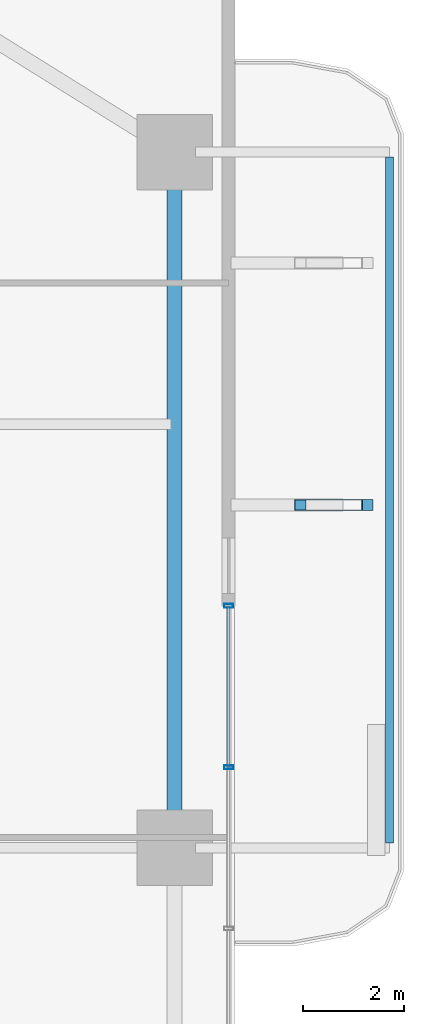
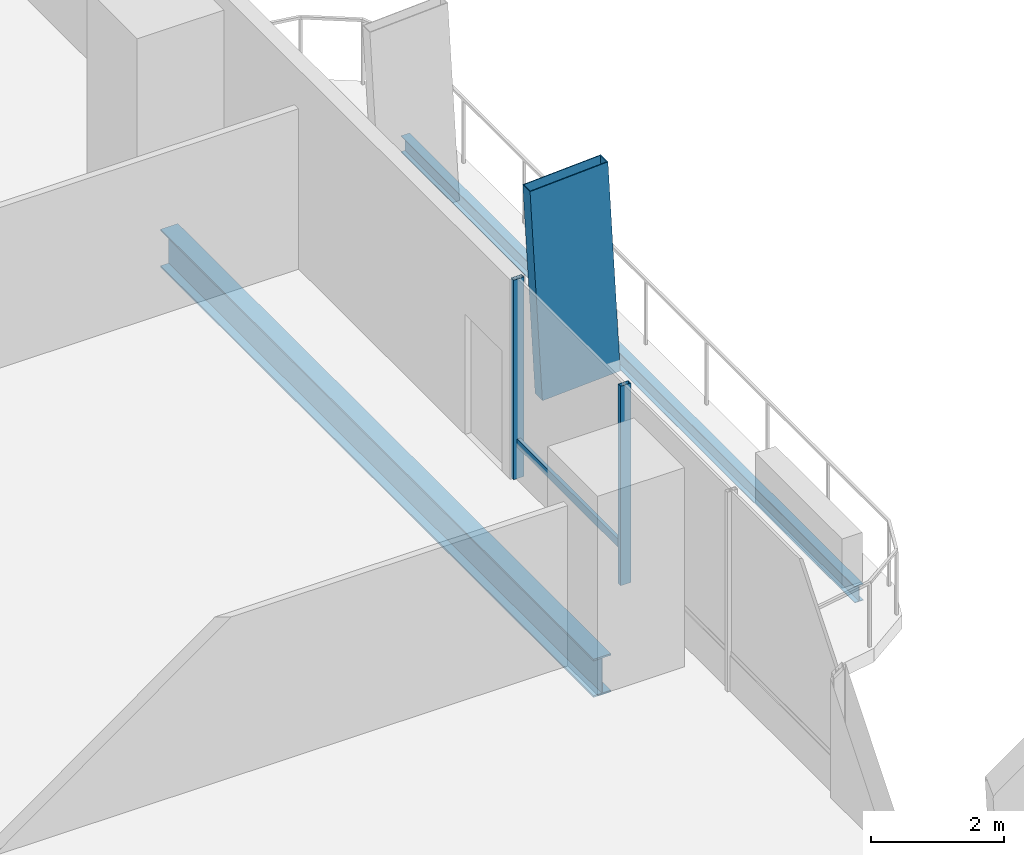
# One storey, part 13 of 23: 4 members, 2 beams, 1 element without a shape of its own.
"""IFC4 building model written with IfcOpenShell, lengths in metres."""

from ifc_helpers import new_model, si_unit, direction, frame, origin, origin_2d, place, context, subcontext, project, spatial, hollow_rectangle, i_section, extrude, material, layer, layer_set, material_profile, profile_set, type_object, element, aggregate, save


model = new_model("IFC4")

# Units and contexts
model_context = context("Model", 3, precision=1e-05, world=origin(), true_north=direction((0.0, 1.0)))
body_context = subcontext(model_context, "Body", "Model", "MODEL_VIEW")
ifc_project = project(units=[si_unit("LENGTHUNIT", "METRE"), si_unit("AREAUNIT", "SQUARE_METRE"), si_unit("VOLUMEUNIT", "CUBIC_METRE"), si_unit("PLANEANGLEUNIT", "RADIAN"), si_unit("MASSUNIT", "GRAM", prefix="KILO")], contexts=[model_context])

# Site, building, storey
site_placement = place(None, origin())
site = spatial("IfcSite", under=ifc_project, at=site_placement, CompositionType="ELEMENT")
building_placement = place(site_placement, origin())
building = spatial("IfcBuilding", under=site, at=building_placement, Name="Belovzor Exchange Tower", CompositionType="ELEMENT")
storey_placement = place(building_placement, frame((0.0, 0.0, 57.300048828125)))
storey = spatial("IfcBuildingStorey", under=building, at=storey_placement, Name="L13", CompositionType="ELEMENT", Elevation=57.300048828125)

# Member
ifc_material_1 = material(Name="Extruded Architectural Terracotta on Steel S355 Carrier", Category="masonry")
ifc_material_profile_1 = material_profile(ifc_material_1, hollow_rectangle(XDim=0.219970703125, YDim=1.35009765625, WallThickness=0.013916015625, at=origin_2d()))
ifc_profile_set_1 = profile_set([ifc_material_profile_1], Name="Extruded Architectural Terracotta on Steel S355 Carrier")
member_type_1 = type_object("IfcMemberType", Name="Base Arc Sweeping Terracotta Pylon Fin 1450", PredefinedType="USERDEFINED", material=ifc_profile_set_1)
member_1_placement = place(storey_placement, frame((58.762939453125, 35.60009765625, -0.25), z_axis=(-0.054756839471, 0.0, 0.998499718844), x_axis=(0.0, -1.0, 0.0)))
element("IfcMember", 1, at=member_1_placement, inside=storey, type_object=member_type_1, Name="FIN-TC145 Terracotta Facade Fin L13 E3", ObjectType="FIN", PredefinedType="USERDEFINED", context=body_context, shape_type="SweptSolid", body=[
    extrude(hollow_rectangle(XDim=0.219970703125, YDim=1.35009765625, WallThickness=0.013916015625, at=origin_2d()), origin(), (0.0, 0.0, 1.0), 3.90576171875),
])

# Beam
ifc_material_2 = material(Name="Steel S355", Category="steel")
ifc_material_profile_2 = material_profile(ifc_material_2, i_section(OverallWidth=0.14990234375, OverallDepth=0.300048828125, WebThickness=0.007080078125, FlangeThickness=0.0107421875, at=origin_2d()))
ifc_profile_set_2 = profile_set([ifc_material_profile_2], Name="Steel S355")
beam_type_1 = type_object("IfcBeamType", Name="Planted Balcony Fascia Edge Beam IPE 300", PredefinedType="BEAM", material=ifc_profile_set_2)
beam_1_placement = place(storey_placement, frame((59.762939453125, 28.89990234375, -0.400146484375), z_axis=(0.0, 1.0, 0.0), x_axis=(-1.0, 0.0, 0.0)))
element("IfcBeam", 2, at=beam_1_placement, inside=storey, type_object=beam_type_1, Name="BC-300 Planted Balcony Fascia Edge Beam IPE 300", PredefinedType="BEAM", context=body_context, shape_type="SweptSolid", body=[
    extrude(i_section(OverallWidth=0.14990234375, OverallDepth=0.300048828125, WebThickness=0.007080078125, FlangeThickness=0.0107421875, at=origin_2d()), origin(), (0.0, 0.0, 1.0), 13.60009765625),
])

# Curtain wall, members
ifc_material_3 = material(Name="Anodised Aluminium Framing", Category="aluminium")
ifc_layer = layer(ifc_material_3, 0.179931640625)
ifc_layer_set = layer_set([ifc_layer], Name="Anodised Aluminium Framing")
curtain_wall_type = type_object("IfcCurtainWallType", Name="Recessed Loggia Low-Iron Triple-Glazed Curtain Wall", PredefinedType="NOTDEFINED", material=ifc_layer_set)
curtain_wall_placement = place(storey_placement, origin())
curtain_wall = element("IfcCurtainWall", 3, at=curtain_wall_placement, inside=storey, type_object=curtain_wall_type, Name="CW3 Recessed Loggia Low-Iron Triple-Glazed Curtain Wall L13", PredefinedType="NOTDEFINED")
ifc_material_4 = material(Name="Steel S355", Category="steel")
ifc_material_profile_3 = material_profile(ifc_material_4, hollow_rectangle(XDim=0.074951171875, YDim=0.179931640625, WallThickness=0.0048828125, at=origin_2d()))
ifc_profile_set_3 = profile_set([ifc_material_profile_3], Name="Steel S355")
member_type_2 = type_object("IfcMemberType", Name="Thermally Broken Curtain Wall Mullion 180x75", PredefinedType="MULLION", material=ifc_profile_set_3)
member_2_placement = place(storey_placement, frame((56.570068359375, 33.60009765625, 0.0), z_axis=(0.0, 0.0, 1.0), x_axis=(0.0, -1.0, 0.0)))
member_2 = element("IfcMember", 4, at=member_2_placement, type_object=member_type_2, Name="CW-M180 Curtain Wall Mullion 1", PredefinedType="MULLION", context=body_context, shape_type="SweptSolid", body=[
    extrude(hollow_rectangle(XDim=0.074951171875, YDim=0.179931640625, WallThickness=0.0048828125, at=origin_2d()), origin(), (0.0, 0.0, 1.0), 3.64990234375),
])
member_3_placement = place(storey_placement, frame((56.570068359375, 30.39990234375, 0.0), z_axis=(0.0, 0.0, 1.0), x_axis=(0.0, -1.0, 0.0)))
member_3 = element("IfcMember", 5, at=member_3_placement, type_object=member_type_2, Name="CW-M180 Curtain Wall Mullion 2", PredefinedType="MULLION", context=body_context, shape_type="SweptSolid", body=[
    extrude(hollow_rectangle(XDim=0.074951171875, YDim=0.179931640625, WallThickness=0.0048828125, at=origin_2d()), origin(), (0.0, 0.0, 1.0), 3.64990234375),
])
ifc_material_5 = material(Name="Steel S355", Category="steel")
ifc_material_profile_4 = material_profile(ifc_material_5, hollow_rectangle(XDim=0.06005859375, YDim=0.14990234375, WallThickness=0.00390625, at=origin_2d()))
ifc_profile_set_4 = profile_set([ifc_material_profile_4], Name="Steel S355")
member_type_3 = type_object("IfcMemberType", Name="Thermally Broken Curtain Wall Transom 150x60", PredefinedType="USERDEFINED", material=ifc_profile_set_4)
member_4_placement = place(storey_placement, frame((56.570068359375, 33.592041015625, 0.64990234375), z_axis=(0.0, -1.0, 0.0), x_axis=(1.0, 0.0, 0.0)))
member_4 = element("IfcMember", 6, at=member_4_placement, type_object=member_type_3, Name="CW-T150 Curtain Wall Transom 1", ObjectType="TRANSOM", PredefinedType="USERDEFINED", context=body_context, shape_type="SweptSolid", body=[
    extrude(hollow_rectangle(XDim=0.06005859375, YDim=0.14990234375, WallThickness=0.00390625, at=origin_2d()), origin(), (0.0, 0.0, 1.0), 3.18408203125),
])
aggregate(curtain_wall, [member_2, member_3, member_4])

# Beam
ifc_material_6 = material(Name="Steel S355", Category="steel")
ifc_material_profile_5 = material_profile(ifc_material_6, i_section(OverallWidth=0.300048828125, OverallDepth=0.699951171875, WebThickness=0.01708984375, FlangeThickness=0.031982421875, at=origin_2d()))
ifc_profile_set_5 = profile_set([ifc_material_profile_5], Name="Steel S355")
beam_type_2 = type_object("IfcBeamType", Name="Zone 1 Primary Perimeter Girder HEB 700", PredefinedType="BEAM", material=ifc_profile_set_5)
beam_2_placement = place(storey_placement, frame((55.5, 29.212890625, -0.60009765625), z_axis=(0.0, 1.0, 0.0), x_axis=(-1.0, 0.0, 0.0)))
element("IfcBeam", 7, at=beam_2_placement, inside=storey, type_object=beam_type_2, Name="FG-Z1 Zone 1 Primary Perimeter Girder HEB 700", PredefinedType="BEAM", context=body_context, shape_type="SweptSolid", body=[
    extrude(i_section(OverallWidth=0.300048828125, OverallDepth=0.699951171875, WebThickness=0.01708984375, FlangeThickness=0.031982421875, at=origin_2d()), origin(), (0.0, 0.0, 1.0), 12.97509765625),
])

save(model, "model.ifc")
